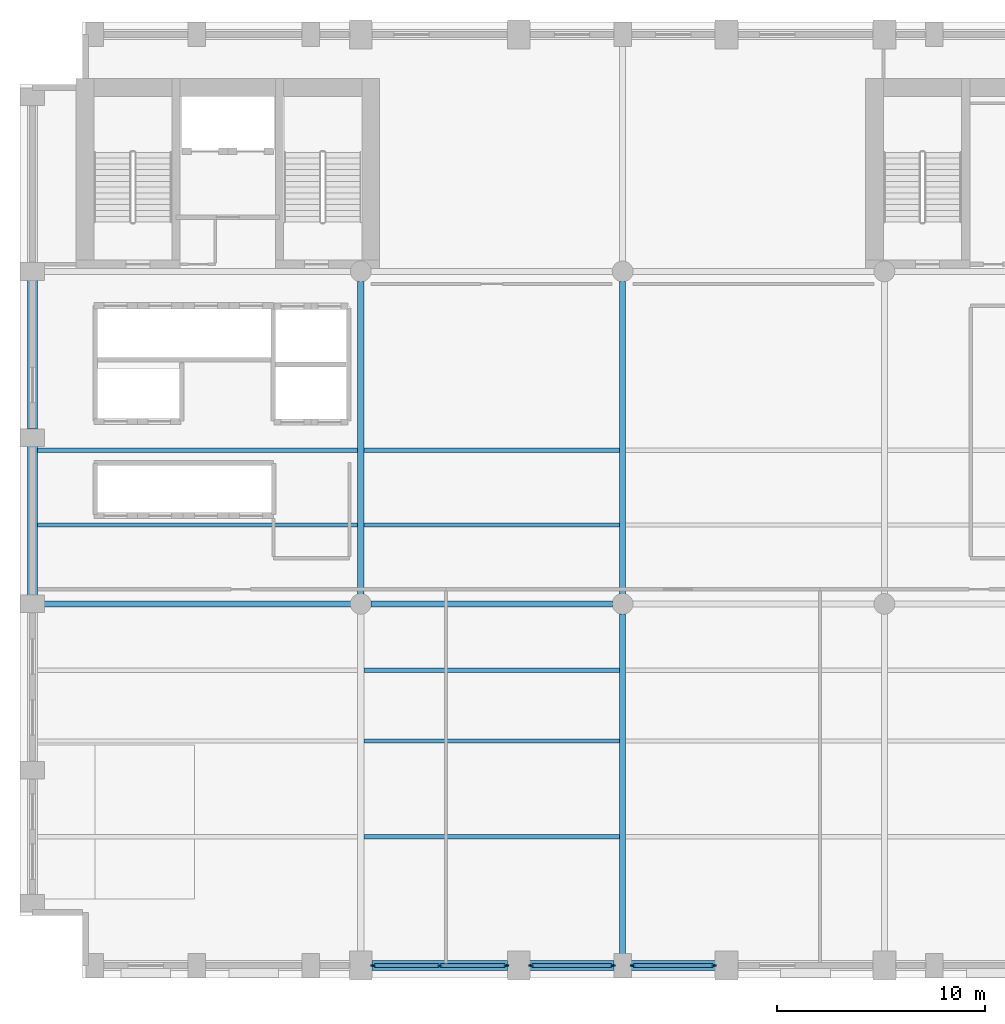
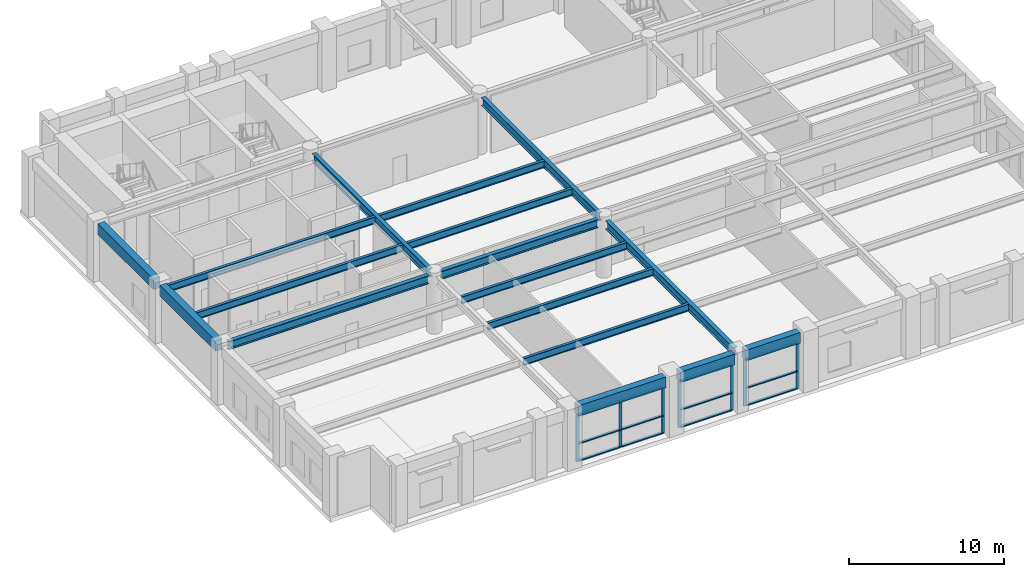
# One storey, part 2 of 10: 19 members, 17 beams, 3 elements without a shape of their own.
"""IFC4 building model written with IfcOpenShell, lengths in metres."""

from ifc_helpers import new_model, si_unit, direction, frame, origin, origin_2d, place, context, subcontext, project, spatial, rectangle, i_section, extrude, material, layer, layer_set, material_profile, profile_set, type_object, element, aggregate, save


model = new_model("IFC4")

# Units and contexts
model_context = context("Model", 3, precision=1e-05, world=origin(), true_north=direction((0.0, 1.0)))
body_context = subcontext(model_context, "Body", "Model", "MODEL_VIEW")
ifc_project = project(units=[si_unit("LENGTHUNIT", "METRE"), si_unit("AREAUNIT", "SQUARE_METRE"), si_unit("VOLUMEUNIT", "CUBIC_METRE"), si_unit("PLANEANGLEUNIT", "RADIAN"), si_unit("MASSUNIT", "GRAM", prefix="KILO")], contexts=[model_context])

# Site, building, storey
site_placement = place(None, origin())
site = spatial("IfcSite", under=ifc_project, at=site_placement, CompositionType="ELEMENT")
building_placement = place(site_placement, origin())
building = spatial("IfcBuilding", under=site, at=building_placement, Name="Sulina Concourse Tower", CompositionType="ELEMENT")
storey_placement = place(building_placement, frame((0.0, 0.0, 87.800048828125)))
storey = spatial("IfcBuildingStorey", under=building, at=storey_placement, Name="L21", CompositionType="ELEMENT", Elevation=87.800048828125)

# Beams
ifc_material_1 = material(Name="Steel S355", Category="steel")
ifc_material_profile_1 = material_profile(ifc_material_1, i_section(OverallWidth=0.2099609375, OverallDepth=0.550048828125, WebThickness=0.010986328125, FlangeThickness=0.01708984375, at=origin_2d()), Name="IPE 550")
ifc_profile_set_1 = profile_set([ifc_material_profile_1], Name="Steel S355")
beam_type_1 = type_object("IfcBeamType", Name="Composite Floor Joist IPE550", PredefinedType="JOIST", material=ifc_profile_set_1)
for number, where, z_axis, x_axis, name in (
    (1, (16.550048828125, 6.800048828125, 4.25), (1.0, 0.0, 0.0), (0.0, 1.0, 0.0), "FJ-J06-2-L21"),
    (2, (16.550048828125, 11.39990234375, 4.25), (1.0, 0.0, 0.0), (0.0, 1.0, 0.0), "FJ-J11-2-L21"),
    (3, (16.550048828125, 14.800048828125, 4.25), (1.0, 0.0, 0.0), (0.0, 1.0, 0.0), "FJ-J15-2-L21"),
):
    element("IfcBeam", number, at=place(storey_placement, frame(where, z_axis=z_axis, x_axis=x_axis)), inside=storey, type_object=beam_type_1, Name=name, PredefinedType="JOIST", context=body_context, shape_type="SweptSolid", body=[
        extrude(i_section(OverallWidth=0.2099609375, OverallDepth=0.550048828125, WebThickness=0.010986328125, FlangeThickness=0.01708984375, at=origin_2d()), origin(), (0.0, 0.0, 1.0), 12.300048828125),
    ])
beam_1_placement = place(storey_placement, frame((0.85009765625, 21.800048828125, 4.25), z_axis=(1.0, 0.0, 0.0), x_axis=(0.0, 1.0, 0.0)))
element("IfcBeam", 4, at=beam_1_placement, inside=storey, type_object=beam_type_1, Name="FJ-J22-1-L21", PredefinedType="JOIST", context=body_context, shape_type="SweptSolid", body=[
    extrude(i_section(OverallWidth=0.2099609375, OverallDepth=0.550048828125, WebThickness=0.010986328125, FlangeThickness=0.01708984375, at=origin_2d()), origin(), (0.0, 0.0, 1.0), 15.39990234375),
])
beam_2_placement = place(storey_placement, frame((16.550048828125, 21.800048828125, 4.25), z_axis=(1.0, 0.0, 0.0), x_axis=(0.0, 1.0, 0.0)))
element("IfcBeam", 5, at=beam_2_placement, inside=storey, type_object=beam_type_1, Name="FJ-J22-2-L21", PredefinedType="JOIST", context=body_context, shape_type="SweptSolid", body=[
    extrude(i_section(OverallWidth=0.2099609375, OverallDepth=0.550048828125, WebThickness=0.010986328125, FlangeThickness=0.01708984375, at=origin_2d()), origin(), (0.0, 0.0, 1.0), 12.300048828125),
])
beam_3_placement = place(storey_placement, frame((0.85009765625, 25.39990234375, 4.25), z_axis=(1.0, 0.0, 0.0), x_axis=(0.0, 1.0, 0.0)))
element("IfcBeam", 6, at=beam_3_placement, inside=storey, type_object=beam_type_1, Name="FJ-J25-1-L21", PredefinedType="JOIST", context=body_context, shape_type="SweptSolid", body=[
    extrude(i_section(OverallWidth=0.2099609375, OverallDepth=0.550048828125, WebThickness=0.010986328125, FlangeThickness=0.01708984375, at=origin_2d()), origin(), (0.0, 0.0, 1.0), 15.39990234375),
])
beam_4_placement = place(storey_placement, frame((16.550048828125, 25.39990234375, 4.25), z_axis=(1.0, 0.0, 0.0), x_axis=(0.0, 1.0, 0.0)))
element("IfcBeam", 7, at=beam_4_placement, inside=storey, type_object=beam_type_1, Name="FJ-J25-2-L21", PredefinedType="JOIST", context=body_context, shape_type="SweptSolid", body=[
    extrude(i_section(OverallWidth=0.2099609375, OverallDepth=0.550048828125, WebThickness=0.010986328125, FlangeThickness=0.01708984375, at=origin_2d()), origin(), (0.0, 0.0, 1.0), 12.300048828125),
])
ifc_material_2 = material(Name="Steel S355", Category="steel")
ifc_material_profile_2 = material_profile(ifc_material_2, i_section(OverallWidth=0.300048828125, OverallDepth=0.64990234375, WebThickness=0.01611328125, FlangeThickness=0.031005859375, at=origin_2d()), Name="HE 650 B")
ifc_profile_set_2 = profile_set([ifc_material_profile_2], Name="Steel S355")
beam_type_2 = type_object("IfcBeamType", Name="Floor Primary Girder Zone 2 HE650B", PredefinedType="BEAM", material=ifc_profile_set_2)
beam_5_placement = place(storey_placement, frame((1.0048828125, 18.0, 4.199951171875), z_axis=(1.0, 0.0, 0.0), x_axis=(0.0, 1.0, 0.0)))
element("IfcBeam", 8, at=beam_5_placement, inside=storey, type_object=beam_type_2, Name="FG-EW1-L21", PredefinedType="BEAM", context=body_context, shape_type="SweptSolid", body=[
    extrude(i_section(OverallWidth=0.300048828125, OverallDepth=0.64990234375, WebThickness=0.01611328125, FlangeThickness=0.031005859375, at=origin_2d()), origin(), (0.0, 0.0, 1.0), 14.9150390625),
])
beam_6_placement = place(storey_placement, frame((16.8798828125, 18.0, 4.199951171875), z_axis=(1.0, 0.0, 0.0), x_axis=(0.0, 1.0, 0.0)))
element("IfcBeam", 9, at=beam_6_placement, inside=storey, type_object=beam_type_2, Name="FG-EW2-L21", PredefinedType="BEAM", context=body_context, shape_type="SweptSolid", body=[
    extrude(i_section(OverallWidth=0.300048828125, OverallDepth=0.64990234375, WebThickness=0.01611328125, FlangeThickness=0.031005859375, at=origin_2d()), origin(), (0.0, 0.0, 1.0), 11.64013671875),
])
beam_7_placement = place(storey_placement, frame((16.39990234375, 18.47998046875, 4.199951171875), z_axis=(0.0, 1.0, 0.0), x_axis=(-1.0, 0.0, 0.0)))
element("IfcBeam", 10, at=beam_7_placement, inside=storey, type_object=beam_type_2, Name="FG-NSB-16-L21", PredefinedType="BEAM", context=body_context, shape_type="SweptSolid", body=[
    extrude(i_section(OverallWidth=0.300048828125, OverallDepth=0.64990234375, WebThickness=0.01611328125, FlangeThickness=0.031005859375, at=origin_2d()), origin(), (0.0, 0.0, 1.0), 15.0400390625),
])
beam_8_placement = place(storey_placement, frame((29.0, 1.0048828125, 4.199951171875), z_axis=(0.0, 1.0, 0.0), x_axis=(-1.0, 0.0, 0.0)))
element("IfcBeam", 11, at=beam_8_placement, inside=storey, type_object=beam_type_2, Name="FG-NSA-29-L21", PredefinedType="BEAM", context=body_context, shape_type="SweptSolid", body=[
    extrude(i_section(OverallWidth=0.300048828125, OverallDepth=0.64990234375, WebThickness=0.01611328125, FlangeThickness=0.031005859375, at=origin_2d()), origin(), (0.0, 0.0, 1.0), 16.51513671875),
])
beam_9_placement = place(storey_placement, frame((29.0, 18.47998046875, 4.199951171875), z_axis=(0.0, 1.0, 0.0), x_axis=(-1.0, 0.0, 0.0)))
element("IfcBeam", 12, at=beam_9_placement, inside=storey, type_object=beam_type_2, Name="FG-NSB-29-L21", PredefinedType="BEAM", context=body_context, shape_type="SweptSolid", body=[
    extrude(i_section(OverallWidth=0.300048828125, OverallDepth=0.64990234375, WebThickness=0.01611328125, FlangeThickness=0.031005859375, at=origin_2d()), origin(), (0.0, 0.0, 1.0), 15.0400390625),
])
ifc_material_3 = material(Name="Precast concrete C50/60", Category="concrete")
ifc_material_profile_3 = material_profile(ifc_material_3, rectangle(XDim=0.5, YDim=0.85009765625, at=origin_2d()), Name="RC 500x850")
ifc_profile_set_3 = profile_set([ifc_material_profile_3], Name="Precast concrete C50/60")
beam_type_3 = type_object("IfcBeamType", Name="Lower Precast Spandrel Edge Beam 500x850", PredefinedType="BEAM", material=ifc_profile_set_3)
beam_10_placement = place(storey_placement, frame((16.929931640625, 0.60009765625, 4.099853515625), z_axis=(1.0, 0.0, 0.0), x_axis=(0.0, 1.0, 0.0)))
element("IfcBeam", 13, at=beam_10_placement, inside=storey, type_object=beam_type_3, Name="SP-S4-L21", PredefinedType="BEAM", context=body_context, shape_type="SweptSolid", body=[
    extrude(rectangle(XDim=0.5, YDim=0.85009765625, at=origin_2d()), origin(), (0.0, 0.0, 1.0), 6.5400390625),
])
for number, where, z_axis, x_axis, name in (
    (14, (24.530029296875, 0.60009765625, 4.099853515625), (1.0, 0.0, 0.0), (0.0, 1.0, 0.0), "SP-S5-L21"),
    (15, (29.405029296875, 0.60009765625, 4.099853515625), (1.0, 0.0, 0.0), (0.0, 1.0, 0.0), "SP-S6-L21"),
):
    element("IfcBeam", number, at=place(storey_placement, frame(where, z_axis=z_axis, x_axis=x_axis)), inside=storey, type_object=beam_type_3, Name=name, PredefinedType="BEAM", context=body_context, shape_type="SweptSolid", body=[
        extrude(rectangle(XDim=0.5, YDim=0.85009765625, at=origin_2d()), origin(), (0.0, 0.0, 1.0), 4.06494140625),
    ])
for number, where, z_axis, x_axis, name in (
    (16, (0.60009765625, 18.405029296875, 4.099853515625), (0.0, 1.0, 0.0), (-1.0, 0.0, 0.0), "SP-W3-L21"),
    (17, (0.60009765625, 26.405029296875, 4.099853515625), (0.0, 1.0, 0.0), (-1.0, 0.0, 0.0), "SP-W4-L21"),
):
    element("IfcBeam", number, at=place(storey_placement, frame(where, z_axis=z_axis, x_axis=x_axis)), inside=storey, type_object=beam_type_3, Name=name, PredefinedType="BEAM", context=body_context, shape_type="SweptSolid", body=[
        extrude(rectangle(XDim=0.5, YDim=0.85009765625, at=origin_2d()), origin(), (0.0, 0.0, 1.0), 7.18994140625),
    ])

# Curtain wall, members
ifc_material_4 = material(Name="Anodised bronze aluminium", Category="aluminium")
ifc_layer = layer(ifc_material_4, 0.260009765625)
ifc_layer_set = layer_set([ifc_layer], Name="Anodised bronze aluminium")
curtain_wall_type = type_object("IfcCurtainWallType", Name="Sky-Lobby Panorama Curtain Wall System", PredefinedType="NOTDEFINED", material=ifc_layer_set)
curtain_wall_1_placement = place(storey_placement, origin())
curtain_wall_1 = element("IfcCurtainWall", 18, at=curtain_wall_1_placement, inside=storey, type_object=curtain_wall_type, Name="L21 glazed curtain wall S4", PredefinedType="NOTDEFINED")
ifc_material_5 = material(Name="Anodised bronze aluminium", Category="aluminium")
ifc_material_profile_4 = material_profile(ifc_material_5, rectangle(XDim=0.080078125, YDim=0.239990234375, at=origin_2d()), Name="MUL 80x240")
ifc_profile_set_4 = profile_set([ifc_material_profile_4], Name="Anodised bronze aluminium")
member_type_1 = type_object("IfcMemberType", Name="Sky-Lobby Panorama Curtain Wall System Mullion 80x240", PredefinedType="MULLION", material=ifc_profile_set_4)
member_1_placement = place(storey_placement, frame((23.389892578125, 0.60009765625, 0.0), z_axis=(0.0, 0.0, 1.0), x_axis=(0.0, -1.0, 0.0)))
member_1 = element("IfcMember", 19, at=member_1_placement, type_object=member_type_1, Name="CW-03 mullion 1", PredefinedType="MULLION", context=body_context, shape_type="SweptSolid", body=[
    extrude(rectangle(XDim=0.080078125, YDim=0.239990234375, at=origin_2d()), origin(), (0.0, 0.0, 1.0), 3.675048828125),
])
member_2_placement = place(storey_placement, frame((20.199951171875, 0.60009765625, 0.0), z_axis=(0.0, 0.0, 1.0), x_axis=(0.0, -1.0, 0.0)))
member_2 = element("IfcMember", 20, at=member_2_placement, type_object=member_type_1, Name="CW-03 mullion 2", PredefinedType="MULLION", context=body_context, shape_type="SweptSolid", body=[
    extrude(rectangle(XDim=0.080078125, YDim=0.239990234375, at=origin_2d()), origin(), (0.0, 0.0, 1.0), 3.675048828125),
])
member_3_placement = place(storey_placement, frame((17.010009765625, 0.60009765625, 0.0), z_axis=(0.0, 0.0, 1.0), x_axis=(0.0, -1.0, 0.0)))
member_3 = element("IfcMember", 21, at=member_3_placement, type_object=member_type_1, Name="CW-03 mullion 3", PredefinedType="MULLION", context=body_context, shape_type="SweptSolid", body=[
    extrude(rectangle(XDim=0.080078125, YDim=0.239990234375, at=origin_2d()), origin(), (0.0, 0.0, 1.0), 3.675048828125),
])

curtain_wall_2_placement = place(storey_placement, origin())
curtain_wall_2 = element("IfcCurtainWall", 22, at=curtain_wall_2_placement, inside=storey, type_object=curtain_wall_type, Name="L21 glazed curtain wall S5", PredefinedType="NOTDEFINED")
member_4_placement = place(storey_placement, frame((28.514892578125, 0.60009765625, 0.0), z_axis=(0.0, 0.0, 1.0), x_axis=(0.0, -1.0, 0.0)))
member_4 = element("IfcMember", 23, at=member_4_placement, type_object=member_type_1, Name="CW-03 mullion 1", PredefinedType="MULLION", context=body_context, shape_type="SweptSolid", body=[
    extrude(rectangle(XDim=0.080078125, YDim=0.239990234375, at=origin_2d()), origin(), (0.0, 0.0, 1.0), 3.675048828125),
])
member_5_placement = place(storey_placement, frame((24.610107421875, 0.60009765625, 0.0), z_axis=(0.0, 0.0, 1.0), x_axis=(0.0, -1.0, 0.0)))
member_5 = element("IfcMember", 24, at=member_5_placement, type_object=member_type_1, Name="CW-03 mullion 2", PredefinedType="MULLION", context=body_context, shape_type="SweptSolid", body=[
    extrude(rectangle(XDim=0.080078125, YDim=0.239990234375, at=origin_2d()), origin(), (0.0, 0.0, 1.0), 3.675048828125),
])

curtain_wall_3_placement = place(storey_placement, origin())
curtain_wall_3 = element("IfcCurtainWall", 25, at=curtain_wall_3_placement, inside=storey, type_object=curtain_wall_type, Name="L21 glazed curtain wall S6", PredefinedType="NOTDEFINED")
member_6_placement = place(storey_placement, frame((33.389892578125, 0.60009765625, 0.0), z_axis=(0.0, 0.0, 1.0), x_axis=(0.0, -1.0, 0.0)))
member_6 = element("IfcMember", 26, at=member_6_placement, type_object=member_type_1, Name="CW-03 mullion 1", PredefinedType="MULLION", context=body_context, shape_type="SweptSolid", body=[
    extrude(rectangle(XDim=0.080078125, YDim=0.239990234375, at=origin_2d()), origin(), (0.0, 0.0, 1.0), 3.675048828125),
])
member_7_placement = place(storey_placement, frame((29.485107421875, 0.60009765625, 0.0), z_axis=(0.0, 0.0, 1.0), x_axis=(0.0, -1.0, 0.0)))
member_7 = element("IfcMember", 27, at=member_7_placement, type_object=member_type_1, Name="CW-03 mullion 2", PredefinedType="MULLION", context=body_context, shape_type="SweptSolid", body=[
    extrude(rectangle(XDim=0.080078125, YDim=0.239990234375, at=origin_2d()), origin(), (0.0, 0.0, 1.0), 3.675048828125),
])

# Member
ifc_material_6 = material(Name="Anodised bronze aluminium", Category="aluminium")
ifc_material_profile_5 = material_profile(ifc_material_6, rectangle(XDim=0.195068359375, YDim=0.080078125, at=origin_2d()), Name="TRN 80x195")
ifc_profile_set_5 = profile_set([ifc_material_profile_5], Name="Anodised bronze aluminium")
member_type_2 = type_object("IfcMemberType", Name="Sky-Lobby Panorama Curtain Wall System Transom 80x195", PredefinedType="USERDEFINED", material=ifc_profile_set_5)
member_8_placement = place(storey_placement, frame((23.35009765625, 0.60009765625, 0.0400390625), z_axis=(-1.0, 0.0, 0.0), x_axis=(0.0, -1.0, 0.0)))
member_8 = element("IfcMember", 28, at=member_8_placement, type_object=member_type_2, Name="CW-03 transom 1.1", ObjectType="TRANSOM", PredefinedType="USERDEFINED", context=body_context, shape_type="SweptSolid", body=[
    extrude(rectangle(XDim=0.195068359375, YDim=0.080078125, at=origin_2d()), origin(), (0.0, 0.0, 1.0), 3.110107421875),
])

member_9_placement = place(storey_placement, frame((23.35009765625, 0.60009765625, 1.396484375), z_axis=(-1.0, 0.0, 0.0), x_axis=(0.0, -1.0, 0.0)))
member_9 = element("IfcMember", 29, at=member_9_placement, type_object=member_type_2, Name="CW-03 transom 1.2", ObjectType="TRANSOM", PredefinedType="USERDEFINED", context=body_context, shape_type="SweptSolid", body=[
    extrude(rectangle(XDim=0.195068359375, YDim=0.080078125, at=origin_2d()), origin(), (0.0, 0.0, 1.0), 3.110107421875),
])

member_10_placement = place(storey_placement, frame((23.35009765625, 0.60009765625, 3.635009765625), z_axis=(-1.0, 0.0, 0.0), x_axis=(0.0, -1.0, 0.0)))
member_10 = element("IfcMember", 30, at=member_10_placement, type_object=member_type_2, Name="CW-03 transom 1.3", ObjectType="TRANSOM", PredefinedType="USERDEFINED", context=body_context, shape_type="SweptSolid", body=[
    extrude(rectangle(XDim=0.195068359375, YDim=0.080078125, at=origin_2d()), origin(), (0.0, 0.0, 1.0), 3.110107421875),
])

member_11_placement = place(storey_placement, frame((20.159912109375, 0.60009765625, 0.0400390625), z_axis=(-1.0, 0.0, 0.0), x_axis=(0.0, -1.0, 0.0)))
member_11 = element("IfcMember", 31, at=member_11_placement, type_object=member_type_2, Name="CW-03 transom 2.1", ObjectType="TRANSOM", PredefinedType="USERDEFINED", context=body_context, shape_type="SweptSolid", body=[
    extrude(rectangle(XDim=0.195068359375, YDim=0.080078125, at=origin_2d()), origin(), (0.0, 0.0, 1.0), 3.10986328125),
])

member_12_placement = place(storey_placement, frame((20.159912109375, 0.60009765625, 1.396484375), z_axis=(-1.0, 0.0, 0.0), x_axis=(0.0, -1.0, 0.0)))
member_12 = element("IfcMember", 32, at=member_12_placement, type_object=member_type_2, Name="CW-03 transom 2.2", ObjectType="TRANSOM", PredefinedType="USERDEFINED", context=body_context, shape_type="SweptSolid", body=[
    extrude(rectangle(XDim=0.195068359375, YDim=0.080078125, at=origin_2d()), origin(), (0.0, 0.0, 1.0), 3.10986328125),
])

member_13_placement = place(storey_placement, frame((20.159912109375, 0.60009765625, 3.635009765625), z_axis=(-1.0, 0.0, 0.0), x_axis=(0.0, -1.0, 0.0)))
member_13 = element("IfcMember", 33, at=member_13_placement, type_object=member_type_2, Name="CW-03 transom 2.3", ObjectType="TRANSOM", PredefinedType="USERDEFINED", context=body_context, shape_type="SweptSolid", body=[
    extrude(rectangle(XDim=0.195068359375, YDim=0.080078125, at=origin_2d()), origin(), (0.0, 0.0, 1.0), 3.10986328125),
])

aggregate(curtain_wall_1, [member_1, member_2, member_3, member_8, member_9, member_10, member_11, member_12, member_13])

member_14_placement = place(storey_placement, frame((28.47509765625, 0.60009765625, 0.0400390625), z_axis=(-1.0, 0.0, 0.0), x_axis=(0.0, -1.0, 0.0)))
member_14 = element("IfcMember", 34, at=member_14_placement, type_object=member_type_2, Name="CW-03 transom 1.1", ObjectType="TRANSOM", PredefinedType="USERDEFINED", context=body_context, shape_type="SweptSolid", body=[
    extrude(rectangle(XDim=0.195068359375, YDim=0.080078125, at=origin_2d()), origin(), (0.0, 0.0, 1.0), 3.8251953125),
])

member_15_placement = place(storey_placement, frame((28.47509765625, 0.60009765625, 1.396484375), z_axis=(-1.0, 0.0, 0.0), x_axis=(0.0, -1.0, 0.0)))
member_15 = element("IfcMember", 35, at=member_15_placement, type_object=member_type_2, Name="CW-03 transom 1.2", ObjectType="TRANSOM", PredefinedType="USERDEFINED", context=body_context, shape_type="SweptSolid", body=[
    extrude(rectangle(XDim=0.195068359375, YDim=0.080078125, at=origin_2d()), origin(), (0.0, 0.0, 1.0), 3.8251953125),
])

member_16_placement = place(storey_placement, frame((28.47509765625, 0.60009765625, 3.635009765625), z_axis=(-1.0, 0.0, 0.0), x_axis=(0.0, -1.0, 0.0)))
member_16 = element("IfcMember", 36, at=member_16_placement, type_object=member_type_2, Name="CW-03 transom 1.3", ObjectType="TRANSOM", PredefinedType="USERDEFINED", context=body_context, shape_type="SweptSolid", body=[
    extrude(rectangle(XDim=0.195068359375, YDim=0.080078125, at=origin_2d()), origin(), (0.0, 0.0, 1.0), 3.8251953125),
])

aggregate(curtain_wall_2, [member_4, member_5, member_14, member_15, member_16])

member_17_placement = place(storey_placement, frame((33.35009765625, 0.60009765625, 0.0400390625), z_axis=(-1.0, 0.0, 0.0), x_axis=(0.0, -1.0, 0.0)))
member_17 = element("IfcMember", 37, at=member_17_placement, type_object=member_type_2, Name="CW-03 transom 1.1", ObjectType="TRANSOM", PredefinedType="USERDEFINED", context=body_context, shape_type="SweptSolid", body=[
    extrude(rectangle(XDim=0.195068359375, YDim=0.080078125, at=origin_2d()), origin(), (0.0, 0.0, 1.0), 3.8251953125),
])

member_18_placement = place(storey_placement, frame((33.35009765625, 0.60009765625, 1.396484375), z_axis=(-1.0, 0.0, 0.0), x_axis=(0.0, -1.0, 0.0)))
member_18 = element("IfcMember", 38, at=member_18_placement, type_object=member_type_2, Name="CW-03 transom 1.2", ObjectType="TRANSOM", PredefinedType="USERDEFINED", context=body_context, shape_type="SweptSolid", body=[
    extrude(rectangle(XDim=0.195068359375, YDim=0.080078125, at=origin_2d()), origin(), (0.0, 0.0, 1.0), 3.8251953125),
])

member_19_placement = place(storey_placement, frame((33.35009765625, 0.60009765625, 3.635009765625), z_axis=(-1.0, 0.0, 0.0), x_axis=(0.0, -1.0, 0.0)))
member_19 = element("IfcMember", 39, at=member_19_placement, type_object=member_type_2, Name="CW-03 transom 1.3", ObjectType="TRANSOM", PredefinedType="USERDEFINED", context=body_context, shape_type="SweptSolid", body=[
    extrude(rectangle(XDim=0.195068359375, YDim=0.080078125, at=origin_2d()), origin(), (0.0, 0.0, 1.0), 3.8251953125),
])

aggregate(curtain_wall_3, [member_6, member_7, member_17, member_18, member_19])

save(model, "model.ifc")
